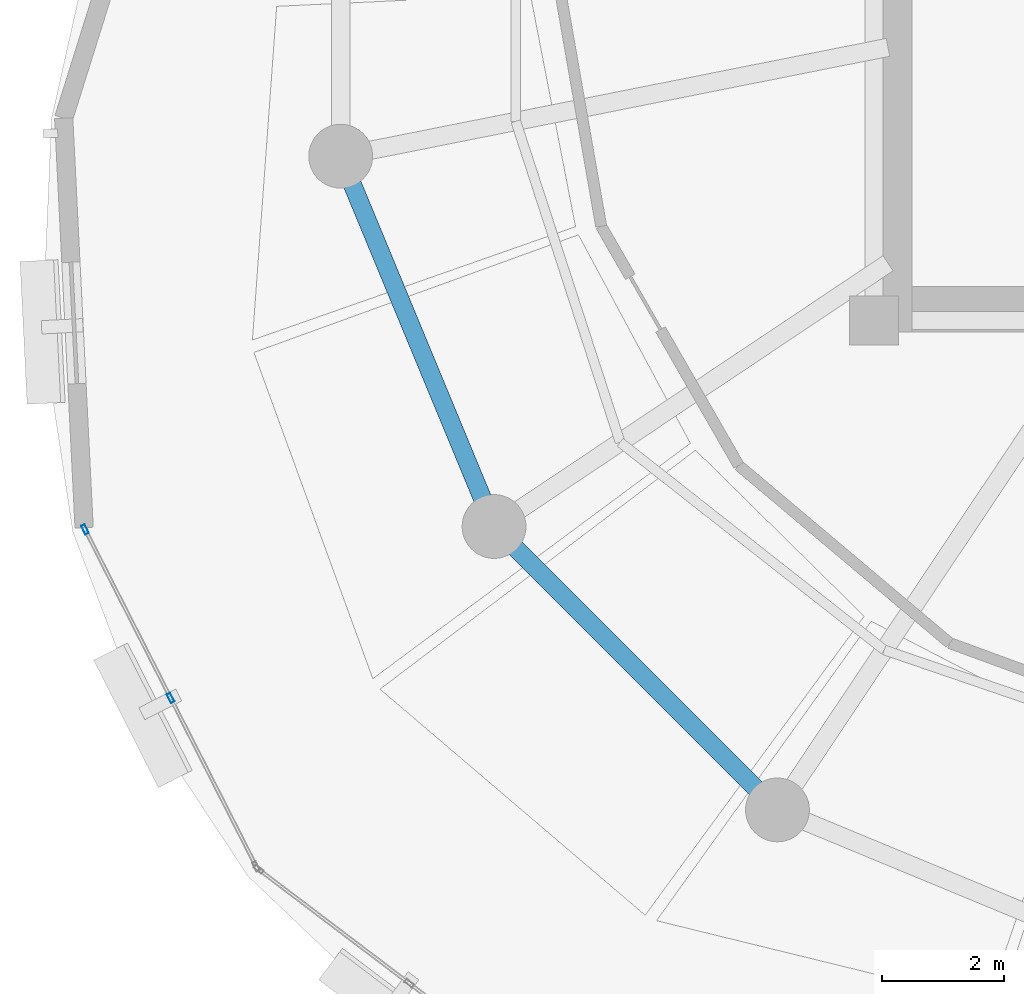
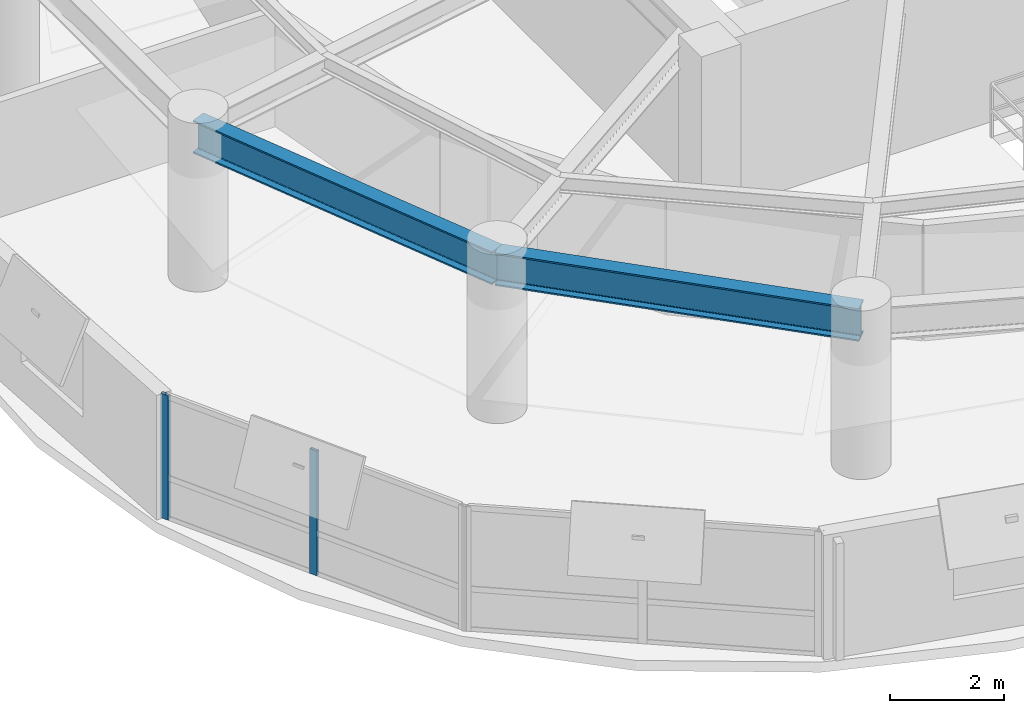
# One storey, part 4 of 12: 2 beams, 2 members, 1 element without a shape of its own.
"""IFC4 building model written with IfcOpenShell, lengths in metres."""

from ifc_helpers import new_model, si_unit, direction, frame, origin, origin_2d, place, context, subcontext, project, spatial, hollow_rectangle, i_section, extrude, material, layer, layer_set, material_profile, profile_set, type_object, element, aggregate, save


model = new_model("IFC4")

# Units and contexts
model_context = context("Model", 3, precision=1e-05, world=origin(), true_north=direction((0.0, 1.0)))
body_context = subcontext(model_context, "Body", "Model", "MODEL_VIEW")
ifc_project = project(units=[si_unit("LENGTHUNIT", "METRE"), si_unit("AREAUNIT", "SQUARE_METRE"), si_unit("VOLUMEUNIT", "CUBIC_METRE"), si_unit("PLANEANGLEUNIT", "RADIAN"), si_unit("MASSUNIT", "GRAM", prefix="KILO"), si_unit("THERMODYNAMICTEMPERATUREUNIT", "KELVIN"), si_unit("POWERUNIT", "WATT")], contexts=[model_context])

# Site, building, storey
site_placement = place(None, origin())
site = spatial("IfcSite", under=ifc_project, at=site_placement, CompositionType="ELEMENT")
building_placement = place(site_placement, origin())
building = spatial("IfcBuilding", under=site, at=building_placement, Name="Ocrelia Relay Tower", CompositionType="ELEMENT")
storey_placement = place(building_placement, frame((0.0, 0.0, 198.800048828125)))
storey = spatial("IfcBuildingStorey", under=building, at=storey_placement, Name="L48", CompositionType="ELEMENT", Elevation=198.800048828125)

# Beams
ifc_material_1 = material(Name="Steel S355", Category="steel")
ifc_material_profile_1 = material_profile(ifc_material_1, i_section(OverallWidth=0.300048828125, OverallDepth=0.699951171875, WebThickness=0.01708984375, FlangeThickness=0.031982421875, FilletRadius=0.027099609375, at=origin_2d()), Name="HEB 700")
ifc_profile_set_1 = profile_set([ifc_material_profile_1], Name="Steel S355")
beam_type = type_object("IfcBeamType", Name="BM-HEB700", PredefinedType="BEAM", material=ifc_profile_set_1)
for number, where, z_axis, x_axis, name in (
    (1, (17.4248046875, 22.702880859375, 3.030029296875), (0.382687508402, -0.923877844151, 0.0), (0.923877844151, 0.382687508402, 0.0), "L48 Perimeter Spandrel Beam S09"),
    (2, (19.9482421875, 16.61083984375, 3.030029296875), (0.707106781187, -0.707106781187, 0.0), (0.707106781187, 0.707106781187, 0.0), "L48 Perimeter Spandrel Beam S10"),
):
    element("IfcBeam", number, at=place(storey_placement, frame(where, z_axis=z_axis, x_axis=x_axis)), inside=storey, type_object=beam_type, Name=name, PredefinedType="BEAM", context=body_context, shape_type="SweptSolid", body=[
        extrude(i_section(OverallWidth=0.300048828125, OverallDepth=0.699951171875, WebThickness=0.01708984375, FlangeThickness=0.031982421875, FilletRadius=0.027099609375, at=origin_2d()), origin(), (0.0, 0.0, 1.0), 6.593994140625),
    ])

# Curtain wall, members
ifc_material_2 = material(Name="Aluminium and solar-control low-E glass", Category="aluminium")
ifc_layer = layer(ifc_material_2, 0.179931640625, Name="Aluminium and solar-control low-E glass")
ifc_layer_set = layer_set([ifc_layer], Name="Aluminium and solar-control low-E glass")
curtain_wall_type = type_object("IfcCurtainWallType", Name="CW-SYS-Z3-CLOU", PredefinedType="NOTDEFINED", material=ifc_layer_set)
curtain_wall_placement = place(storey_placement, origin())
curtain_wall = element("IfcCurtainWall", 3, at=curtain_wall_placement, inside=storey, type_object=curtain_wall_type, Name="L48 Elliptical Tower Curtain Wall Bay 09", PredefinedType="NOTDEFINED")
ifc_material_3 = material(Name="Anodised bronze aluminium", Category="aluminium")
ifc_material_profile_2 = material_profile(ifc_material_3, hollow_rectangle(XDim=0.06494140625, YDim=0.159912109375, WallThickness=0.0048828125, at=origin_2d()), Name="CW-MUL-160x65")
ifc_profile_set_2 = profile_set([ifc_material_profile_2], Name="Anodised bronze aluminium")
member_type = type_object("IfcMemberType", Name="CW-SYS-Z3-CLOU-MUL", PredefinedType="MULLION", material=ifc_profile_set_2)
member_1_placement = place(storey_placement, frame((13.218505859375, 16.56298828125, 0.0), z_axis=(0.0, 0.0, 1.0), x_axis=(0.891643737552, 0.4527377224, 0.0)))
member_1 = element("IfcMember", 4, at=member_1_placement, type_object=member_type, Name="CW-Z3 mullion 1", PredefinedType="MULLION", context=body_context, shape_type="SweptSolid", body=[
    extrude(hollow_rectangle(XDim=0.06494140625, YDim=0.159912109375, WallThickness=0.0048828125, at=origin_2d()), origin(), (0.0, 0.0, 1.0), 2.659912109375),
])
member_2_placement = place(storey_placement, frame((14.626220703125, 13.791015625, 0.0), z_axis=(0.0, 0.0, 1.0), x_axis=(0.891643737552, 0.4527377224, 0.0)))
member_2 = element("IfcMember", 5, at=member_2_placement, type_object=member_type, Name="CW-Z3 mullion 2", PredefinedType="MULLION", context=body_context, shape_type="SweptSolid", body=[
    extrude(hollow_rectangle(XDim=0.06494140625, YDim=0.159912109375, WallThickness=0.0048828125, at=origin_2d()), origin(), (0.0, 0.0, 1.0), 2.659912109375),
])
aggregate(curtain_wall, [member_1, member_2])

save(model, "model.ifc")
